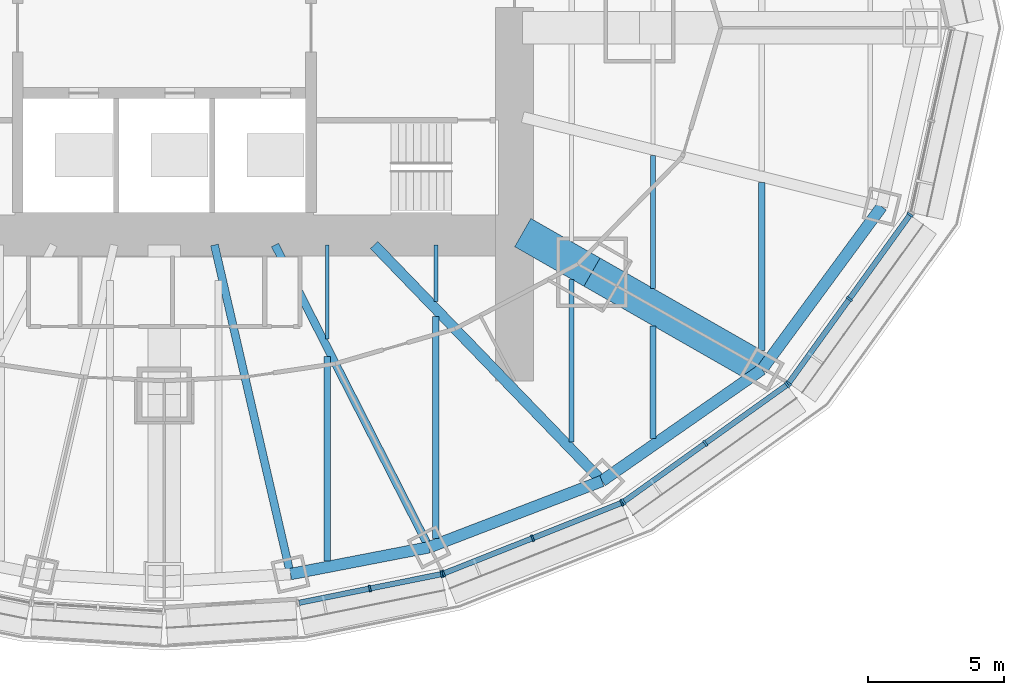
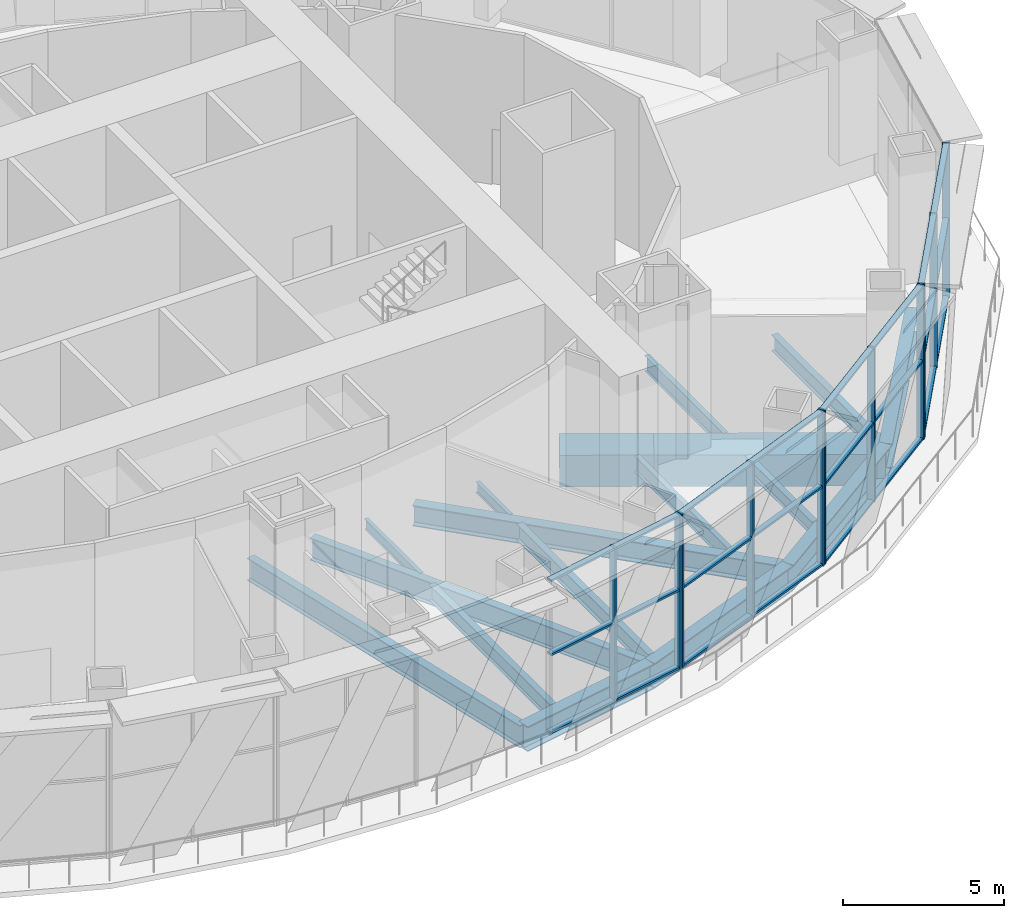
# One storey, part 4 of 21: 35 members, 17 beams, 4 elements without a shape of their own.
"""IFC4 building model written with IfcOpenShell, lengths in metres."""

from ifc_helpers import new_model, si_unit, direction, frame, origin, origin_2d, place, context, subcontext, project, spatial, rectangle, hollow_rectangle, i_section, extrude, material, material_profile, profile_set, type_object, element, aggregate, save


model = new_model("IFC4")

# Units and contexts
model_context = context("Model", 3, precision=1e-05, world=origin(), true_north=direction((0.0, 1.0)))
body_context = subcontext(model_context, "Body", "Model", "MODEL_VIEW")
ifc_project = project(units=[si_unit("LENGTHUNIT", "METRE"), si_unit("AREAUNIT", "SQUARE_METRE"), si_unit("VOLUMEUNIT", "CUBIC_METRE"), si_unit("PLANEANGLEUNIT", "RADIAN"), si_unit("MASSUNIT", "GRAM", prefix="KILO")], contexts=[model_context])

# Site, building, storey
site_placement = place(None, origin())
site = spatial("IfcSite", under=ifc_project, at=site_placement, CompositionType="ELEMENT")
building_placement = place(site_placement, origin())
building = spatial("IfcBuilding", under=site, at=building_placement, Name="Lantaw Convention Tower", CompositionType="ELEMENT")
storey_placement = place(building_placement, frame((0.0, 0.0, 111.39990234375)))
storey = spatial("IfcBuildingStorey", under=building, at=storey_placement, Name="L26", CompositionType="ELEMENT", Elevation=111.39990234375)

# Beams
ifc_material_1 = material(Name="Steel ASTM A992", Category="steel")
ifc_material_profile_1 = material_profile(ifc_material_1, i_section(OverallWidth=0.424072265625, OverallDepth=0.947509765625, WebThickness=0.02392578125, FlangeThickness=0.042724609375, FilletRadius=0.012451171875, at=origin_2d()), Name="W36X302")
ifc_profile_set_1 = profile_set([ifc_material_profile_1], Name="Steel ASTM A992")
beam_type_1 = type_object("IfcBeamType", Name="Beam BC W36X302", PredefinedType="SPANDREL", material=ifc_profile_set_1)
beam_1_placement = place(storey_placement, frame((4.64501953125, -20.1201171875, -0.673583984375), z_axis=(0.981796805654, 0.189934284446, 0.0), x_axis=(-0.189934284446, 0.981796805654, 0.0)))
element("IfcBeam", 1, at=beam_1_placement, inside=storey, type_object=beam_type_1, Name="Belt truss chord 20", PredefinedType="SPANDREL", context=body_context, shape_type="SweptSolid", body=[
    extrude(i_section(OverallWidth=0.424072265625, OverallDepth=0.947509765625, WebThickness=0.02392578125, FlangeThickness=0.042724609375, FilletRadius=0.012451171875, at=origin_2d()), origin(), (0.0, 0.0, 1.0), 5.1982421875),
])
beam_2_placement = place(storey_placement, frame((9.74853515625, -19.1328125, -0.673583984375), z_axis=(0.933691081977, 0.358079549033, 0.0), x_axis=(-0.358079549033, 0.933691081977, 0.0)))
element("IfcBeam", 2, at=beam_2_placement, inside=storey, type_object=beam_type_1, Name="Belt truss chord 21", PredefinedType="SPANDREL", context=body_context, shape_type="SweptSolid", body=[
    extrude(i_section(OverallWidth=0.424072265625, OverallDepth=0.947509765625, WebThickness=0.02392578125, FlangeThickness=0.042724609375, FilletRadius=0.012451171875, at=origin_2d()), origin(), (0.0, 0.0, 1.0), 6.821533203125),
])
beam_3_placement = place(storey_placement, frame((16.11767578125, -16.690185546875, -0.673583984375), z_axis=(0.820310765287, 0.57191804339, 0.0), x_axis=(-0.57191804339, 0.820310765287, 0.0)))
element("IfcBeam", 3, at=beam_3_placement, inside=storey, type_object=beam_type_1, Name="Belt truss chord 22", PredefinedType="SPANDREL", context=body_context, shape_type="SweptSolid", body=[
    extrude(i_section(OverallWidth=0.424072265625, OverallDepth=0.947509765625, WebThickness=0.02392578125, FlangeThickness=0.042724609375, FilletRadius=0.012451171875, at=origin_2d()), origin(), (0.0, 0.0, 1.0), 7.187744140625),
])
beam_4_placement = place(storey_placement, frame((22.013916015625, -12.579345703125, -0.673583984375), z_axis=(0.5923891972, 0.805651934176, 0.0), x_axis=(-0.805651934176, 0.5923891972, 0.0)))
element("IfcBeam", 4, at=beam_4_placement, inside=storey, type_object=beam_type_1, Name="Belt truss chord 23", PredefinedType="SPANDREL", context=body_context, shape_type="SweptSolid", body=[
    extrude(i_section(OverallWidth=0.424072265625, OverallDepth=0.947509765625, WebThickness=0.02392578125, FlangeThickness=0.042724609375, FilletRadius=0.012451171875, at=origin_2d()), origin(), (0.0, 0.0, 1.0), 7.437744140625),
])
ifc_material_2 = material(Name="Steel EN 10025-3 S460N", Category="steel")
ifc_material_profile_2 = material_profile(ifc_material_2, hollow_rectangle(XDim=1.199951171875, YDim=1.199951171875, WallThickness=0.10009765625, at=origin_2d()), Name="BOX1200X100")
ifc_profile_set_2 = profile_set([ifc_material_profile_2], Name="Steel EN 10025-3 S460N")
beam_type_2 = type_object("IfcBeamType", Name="Beam G BOX1200X100", PredefinedType="BEAM", material=ifc_profile_set_2)
beam_5_placement = place(storey_placement, frame((15.75, -9.0, -0.7998046875), z_axis=(0.868245224608, -0.496135293993, 0.0), x_axis=(0.496135293993, 0.868245224608, 0.0)))
element("IfcBeam", 5, at=beam_5_placement, inside=storey, type_object=beam_type_2, Name="Floor girder on ray 23", PredefinedType="BEAM", context=body_context, shape_type="SweptSolid", body=[
    extrude(hollow_rectangle(XDim=1.199951171875, YDim=1.199951171875, WallThickness=0.10009765625, at=origin_2d()), origin(), (0.0, 0.0, 1.0), 7.21435546875),
])
ifc_material_profile_3 = material_profile(ifc_material_1, i_section(OverallWidth=0.383544921875, OverallDepth=0.784912109375, WebThickness=0.019775390625, FlangeThickness=0.033447265625, FilletRadius=0.014892578125, at=origin_2d()), Name="W30X211")
ifc_profile_set_3 = profile_set([ifc_material_profile_3], Name="Steel ASTM A992")
beam_type_3 = type_object("IfcBeamType", Name="Beam G W30X211", PredefinedType="BEAM", material=ifc_profile_set_3)
beam_6_placement = place(storey_placement, frame((7.7255859375, -8.0, -0.59228515625), z_axis=(0.694661591875, -0.719336689439, 0.0), x_axis=(0.719336689439, 0.694661591875, 0.0)))
element("IfcBeam", 6, at=beam_6_placement, inside=storey, type_object=beam_type_3, Name="Floor girder on ray 22", PredefinedType="BEAM", context=body_context, shape_type="SweptSolid", body=[
    extrude(i_section(OverallWidth=0.383544921875, OverallDepth=0.784912109375, WebThickness=0.019775390625, FlangeThickness=0.033447265625, FilletRadius=0.014892578125, at=origin_2d()), origin(), (0.0, 0.0, 1.0), 12.080810546875),
])
ifc_material_profile_4 = material_profile(ifc_material_1, i_section(OverallWidth=0.2919921875, OverallDepth=0.845703125, WebThickness=0.015380859375, FlangeThickness=0.0244140625, FilletRadius=0.01513671875, at=origin_2d()), Name="W33X141")
ifc_profile_set_4 = profile_set([ifc_material_profile_4], Name="Steel ASTM A992")
beam_type_4 = type_object("IfcBeamType", Name="Beam G W33X141", PredefinedType="BEAM", material=ifc_profile_set_4)
beam_7_placement = place(storey_placement, frame((1.846923828125, -8.0, -0.622802734375), z_axis=(0.224946945919, -0.974371013281, 0.0), x_axis=(0.974371013281, 0.224946945919, 0.0)))
element("IfcBeam", 7, at=beam_7_placement, inside=storey, type_object=beam_type_4, Name="Floor girder on ray 20", PredefinedType="BEAM", context=body_context, shape_type="SweptSolid", body=[
    extrude(i_section(OverallWidth=0.2919921875, OverallDepth=0.845703125, WebThickness=0.015380859375, FlangeThickness=0.0244140625, FilletRadius=0.01513671875, at=origin_2d()), origin(), (0.0, 0.0, 1.0), 12.43896484375),
])
beam_8_placement = place(storey_placement, frame((4.076171875, -8.0, -0.622802734375), z_axis=(0.453984907555, -0.891009373527, 0.0), x_axis=(0.891009373527, 0.453984907555, 0.0)))
element("IfcBeam", 8, at=beam_8_placement, inside=storey, type_object=beam_type_4, Name="Floor girder on ray 21", PredefinedType="BEAM", context=body_context, shape_type="SweptSolid", body=[
    extrude(i_section(OverallWidth=0.2919921875, OverallDepth=0.845703125, WebThickness=0.015380859375, FlangeThickness=0.0244140625, FilletRadius=0.01513671875, at=origin_2d()), origin(), (0.0, 0.0, 1.0), 12.49462890625),
])
ifc_material_profile_5 = material_profile(ifc_material_1, i_section(OverallWidth=0.140380859375, OverallDepth=0.40380859375, WebThickness=0.007080078125, FlangeThickness=0.01123046875, FilletRadius=0.01025390625, at=origin_2d()), Name="W16X31")
ifc_profile_set_5 = profile_set([ifc_material_profile_5], Name="Steel ASTM A992")
beam_type_5 = type_object("IfcBeamType", Name="Beam J W16X31", PredefinedType="JOIST", material=ifc_profile_set_5)
beam_9_placement = place(storey_placement, frame((6.0, -11.453857421875, -0.40185546875), z_axis=(0.0, 1.0, 0.0), x_axis=(-1.0, 0.0, 0.0)))
element("IfcBeam", 9, at=beam_9_placement, inside=storey, type_object=beam_type_5, Name="Floor joist", PredefinedType="JOIST", context=body_context, shape_type="SweptSolid", body=[
    extrude(i_section(OverallWidth=0.140380859375, OverallDepth=0.40380859375, WebThickness=0.007080078125, FlangeThickness=0.01123046875, FilletRadius=0.01025390625, at=origin_2d()), origin(), (0.0, 0.0, 1.0), 3.453857421875),
])
beam_10_placement = place(storey_placement, frame((10.0, -10.079345703125, -0.40185546875), z_axis=(0.0, 1.0, 0.0), x_axis=(-1.0, 0.0, 0.0)))
element("IfcBeam", 10, at=beam_10_placement, inside=storey, type_object=beam_type_5, Name="Floor joist", PredefinedType="JOIST", context=body_context, shape_type="SweptSolid", body=[
    extrude(i_section(OverallWidth=0.140380859375, OverallDepth=0.40380859375, WebThickness=0.007080078125, FlangeThickness=0.01123046875, FilletRadius=0.01025390625, at=origin_2d()), origin(), (0.0, 0.0, 1.0), 2.079345703125),
])
ifc_material_profile_6 = material_profile(ifc_material_1, i_section(OverallWidth=0.2099609375, OverallDepth=0.535888671875, WebThickness=0.010986328125, FlangeThickness=0.017333984375, FilletRadius=0.012939453125, at=origin_2d()), Name="W21X68")
ifc_profile_set_6 = profile_set([ifc_material_profile_6], Name="Steel ASTM A992")
beam_type_6 = type_object("IfcBeamType", Name="Beam J W21X68", PredefinedType="JOIST", material=ifc_profile_set_6)
beam_11_placement = place(storey_placement, frame((18.0, -15.119384765625, -0.4677734375), z_axis=(0.0, 1.0, 0.0), x_axis=(-1.0, 0.0, 0.0)))
element("IfcBeam", 11, at=beam_11_placement, inside=storey, type_object=beam_type_6, Name="Floor joist", PredefinedType="JOIST", context=body_context, shape_type="SweptSolid", body=[
    extrude(i_section(OverallWidth=0.2099609375, OverallDepth=0.535888671875, WebThickness=0.010986328125, FlangeThickness=0.017333984375, FilletRadius=0.012939453125, at=origin_2d()), origin(), (0.0, 0.0, 1.0), 4.142578125),
])
ifc_material_profile_7 = material_profile(ifc_material_1, i_section(OverallWidth=0.177978515625, OverallDepth=0.599365234375, WebThickness=0.010009765625, FlangeThickness=0.012939453125, FilletRadius=0.012939453125, at=origin_2d()), Name="W24X55")
ifc_profile_set_7 = profile_set([ifc_material_profile_7], Name="Steel ASTM A992")
beam_type_7 = type_object("IfcBeamType", Name="Beam J W24X55", PredefinedType="JOIST", material=ifc_profile_set_7)
beam_12_placement = place(storey_placement, frame((15.0, -15.2568359375, -0.49951171875), z_axis=(0.0, 1.0, 0.0), x_axis=(-1.0, 0.0, 0.0)))
element("IfcBeam", 12, at=beam_12_placement, inside=storey, type_object=beam_type_7, Name="Floor joist", PredefinedType="JOIST", context=body_context, shape_type="SweptSolid", body=[
    extrude(i_section(OverallWidth=0.177978515625, OverallDepth=0.599365234375, WebThickness=0.010009765625, FlangeThickness=0.012939453125, FilletRadius=0.012939453125, at=origin_2d()), origin(), (0.0, 0.0, 1.0), 5.994384765625),
])
beam_13_placement = place(storey_placement, frame((18.0, -9.5947265625, -0.49951171875), z_axis=(0.0, 1.0, 0.0), x_axis=(-1.0, 0.0, 0.0)))
element("IfcBeam", 13, at=beam_13_placement, inside=storey, type_object=beam_type_7, Name="Floor joist", PredefinedType="JOIST", context=body_context, shape_type="SweptSolid", body=[
    extrude(i_section(OverallWidth=0.177978515625, OverallDepth=0.599365234375, WebThickness=0.010009765625, FlangeThickness=0.012939453125, FilletRadius=0.012939453125, at=origin_2d()), origin(), (0.0, 0.0, 1.0), 4.898681640625),
])
ifc_material_profile_8 = material_profile(ifc_material_1, i_section(OverallWidth=0.227783203125, OverallDepth=0.60205078125, WebThickness=0.010498046875, FlangeThickness=0.014892578125, FilletRadius=0.012939453125, at=origin_2d()), Name="W24X68")
ifc_profile_set_8 = profile_set([ifc_material_profile_8], Name="Steel ASTM A992")
beam_type_8 = type_object("IfcBeamType", Name="Beam J W24X68", PredefinedType="JOIST", material=ifc_profile_set_8)
beam_14_placement = place(storey_placement, frame((6.0, -19.641845703125, -0.5009765625), z_axis=(0.0, 1.0, 0.0), x_axis=(-1.0, 0.0, 0.0)))
element("IfcBeam", 14, at=beam_14_placement, inside=storey, type_object=beam_type_8, Name="Floor joist", PredefinedType="JOIST", context=body_context, shape_type="SweptSolid", body=[
    extrude(i_section(OverallWidth=0.227783203125, OverallDepth=0.60205078125, WebThickness=0.010498046875, FlangeThickness=0.014892578125, FilletRadius=0.012939453125, at=origin_2d()), origin(), (0.0, 0.0, 1.0), 7.54443359375),
])
ifc_material_profile_9 = material_profile(ifc_material_1, i_section(OverallWidth=0.22900390625, OverallDepth=0.612060546875, WebThickness=0.011962890625, FlangeThickness=0.01953125, FilletRadius=0.0126953125, at=origin_2d()), Name="W24X84")
ifc_profile_set_9 = profile_set([ifc_material_profile_9], Name="Steel ASTM A992")
beam_type_9 = type_object("IfcBeamType", Name="Beam J W24X84", PredefinedType="JOIST", material=ifc_profile_set_9)
beam_15_placement = place(storey_placement, frame((10.0, -18.80908203125, -0.505859375), z_axis=(0.0, 1.0, 0.0), x_axis=(-1.0, 0.0, 0.0)))
element("IfcBeam", 15, at=beam_15_placement, inside=storey, type_object=beam_type_9, Name="Floor joist", PredefinedType="JOIST", context=body_context, shape_type="SweptSolid", body=[
    extrude(i_section(OverallWidth=0.22900390625, OverallDepth=0.612060546875, WebThickness=0.011962890625, FlangeThickness=0.01953125, FilletRadius=0.0126953125, at=origin_2d()), origin(), (0.0, 0.0, 1.0), 8.177734375),
])
beam_16_placement = place(storey_placement, frame((22.0, -11.88037109375, -0.505859375), z_axis=(0.0, 1.0, 0.0), x_axis=(-1.0, 0.0, 0.0)))
element("IfcBeam", 16, at=beam_16_placement, inside=storey, type_object=beam_type_9, Name="Floor joist", PredefinedType="JOIST", context=body_context, shape_type="SweptSolid", body=[
    extrude(i_section(OverallWidth=0.22900390625, OverallDepth=0.612060546875, WebThickness=0.011962890625, FlangeThickness=0.01953125, FilletRadius=0.0126953125, at=origin_2d()), origin(), (0.0, 0.0, 1.0), 6.18701171875),
])
ifc_material_profile_10 = material_profile(ifc_material_2, hollow_rectangle(XDim=1.199951171875, YDim=1.199951171875, WallThickness=0.10009765625, at=origin_2d()), Name="BOX1200X100")
ifc_profile_set_10 = profile_set([ifc_material_profile_10], Name="Steel EN 10025-3 S460N")
beam_type_10 = type_object("IfcBeamType", Name="Beam OC BOX1200X100", PredefinedType="BEAM", material=ifc_profile_set_10)
beam_17_placement = place(storey_placement, frame((13.199951171875, -7.54296875, -0.7998046875), z_axis=(0.868263603466, -0.496103129295, 0.0), x_axis=(0.496103129295, 0.868263603466, 0.0)))
element("IfcBeam", 17, at=beam_17_placement, inside=storey, type_object=beam_type_10, Name="Outrigger chord on ray 23", PredefinedType="BEAM", context=body_context, shape_type="SweptSolid", body=[
    extrude(hollow_rectangle(XDim=1.199951171875, YDim=1.199951171875, WallThickness=0.10009765625, at=origin_2d()), origin(), (0.0, 0.0, 1.0), 2.93701171875),
])

# Curtain wall, members
ifc_material_3 = material(Name="Aluminium framed curtain wall", Category="aluminium")
curtain_wall_type = type_object("IfcCurtainWallType", Name="Sky lobby curtain wall L26, pale aluminium", PredefinedType="USERDEFINED", material=ifc_material_3)
curtain_wall_1_placement = place(storey_placement, origin())
curtain_wall_1 = element("IfcCurtainWall", 18, at=curtain_wall_1_placement, inside=storey, type_object=curtain_wall_type, Name="Sky lobby curtain wall L26, pale aluminium L26", ObjectType="STICK CURTAIN WALL", PredefinedType="USERDEFINED")
ifc_material_4 = material(Name="Aluminium 6063-T6", Category="aluminium")
ifc_material_profile_11 = material_profile(ifc_material_4, rectangle(XDim=0.25, YDim=0.074951171875, at=origin_2d()), Name="CW-SL mullion 75x250")
ifc_profile_set_11 = profile_set([ifc_material_profile_11], Name="Aluminium 6063-T6")
member_type_1 = type_object("IfcMemberType", Name="CW-SL mullion 75x250", PredefinedType="MULLION", material=ifc_profile_set_11)
member_1_placement = place(storey_placement, frame((7.5703125, -20.65234375, 0.0), z_axis=(0.0, 0.0, 1.0), x_axis=(-0.197506809659, 0.980301514912, 0.0)))
member_1 = element("IfcMember", 19, at=member_1_placement, type_object=member_type_1, Name="CW-SL mullion 2", PredefinedType="MULLION", context=body_context, shape_type="SweptSolid", body=[
    extrude(rectangle(XDim=0.25, YDim=0.074951171875, at=origin_2d()), origin(), (0.0, 0.0, 1.0), 5.85009765625),
])
member_2_placement = place(storey_placement, frame((10.211181640625, -20.1201171875, 0.0), z_axis=(0.0, 0.0, 1.0), x_axis=(-0.197506809659, 0.980301514912, 0.0)))
member_2 = element("IfcMember", 20, at=member_2_placement, type_object=member_type_1, Name="CW-SL mullion 3", PredefinedType="MULLION", context=body_context, shape_type="SweptSolid", body=[
    extrude(rectangle(XDim=0.25, YDim=0.074951171875, at=origin_2d()), origin(), (0.0, 0.0, 1.0), 5.85009765625),
])

curtain_wall_2_placement = place(storey_placement, origin())
curtain_wall_2 = element("IfcCurtainWall", 21, at=curtain_wall_2_placement, inside=storey, type_object=curtain_wall_type, Name="Sky lobby curtain wall L26, pale aluminium L26", ObjectType="STICK CURTAIN WALL", PredefinedType="USERDEFINED")
member_3_placement = place(storey_placement, frame((10.282958984375, -20.098876953125, 0.0), z_axis=(0.0, 0.0, 1.0), x_axis=(-0.368701907483, 0.929547687544, 0.0)))
member_3 = element("IfcMember", 22, at=member_3_placement, type_object=member_type_1, Name="CW-SL mullion 1", PredefinedType="MULLION", context=body_context, shape_type="SweptSolid", body=[
    extrude(rectangle(XDim=0.25, YDim=0.074951171875, at=origin_2d()), origin(), (0.0, 0.0, 1.0), 5.85009765625),
])
member_4_placement = place(storey_placement, frame((13.56494140625, -18.797119140625, 0.0), z_axis=(0.0, 0.0, 1.0), x_axis=(-0.368701907483, 0.929547687544, 0.0)))
member_4 = element("IfcMember", 23, at=member_4_placement, type_object=member_type_1, Name="CW-SL mullion 2", PredefinedType="MULLION", context=body_context, shape_type="SweptSolid", body=[
    extrude(rectangle(XDim=0.25, YDim=0.074951171875, at=origin_2d()), origin(), (0.0, 0.0, 1.0), 5.85009765625),
])
member_5_placement = place(storey_placement, frame((16.846923828125, -17.495361328125, 0.0), z_axis=(0.0, 0.0, 1.0), x_axis=(-0.368701907483, 0.929547687544, 0.0)))
member_5 = element("IfcMember", 24, at=member_5_placement, type_object=member_type_1, Name="CW-SL mullion 3", PredefinedType="MULLION", context=body_context, shape_type="SweptSolid", body=[
    extrude(rectangle(XDim=0.25, YDim=0.074951171875, at=origin_2d()), origin(), (0.0, 0.0, 1.0), 5.85009765625),
])

curtain_wall_3_placement = place(storey_placement, origin())
curtain_wall_3 = element("IfcCurtainWall", 25, at=curtain_wall_3_placement, inside=storey, type_object=curtain_wall_type, Name="Sky lobby curtain wall L26, pale aluminium L26", ObjectType="STICK CURTAIN WALL", PredefinedType="USERDEFINED")
member_6_placement = place(storey_placement, frame((16.912353515625, -17.459716796875, 0.0), z_axis=(0.0, 0.0, 1.0), x_axis=(-0.581972695693, 0.813208325995, 0.0)))
member_6 = element("IfcMember", 26, at=member_6_placement, type_object=member_type_1, Name="CW-SL mullion 1", PredefinedType="MULLION", context=body_context, shape_type="SweptSolid", body=[
    extrude(rectangle(XDim=0.25, YDim=0.074951171875, at=origin_2d()), origin(), (0.0, 0.0, 1.0), 5.85009765625),
])
member_7_placement = place(storey_placement, frame((19.92529296875, -15.303466796875, 0.0), z_axis=(0.0, 0.0, 1.0), x_axis=(-0.581972695693, 0.813208325995, 0.0)))
member_7 = element("IfcMember", 27, at=member_7_placement, type_object=member_type_1, Name="CW-SL mullion 2", PredefinedType="MULLION", context=body_context, shape_type="SweptSolid", body=[
    extrude(rectangle(XDim=0.25, YDim=0.074951171875, at=origin_2d()), origin(), (0.0, 0.0, 1.0), 5.85009765625),
])
member_8_placement = place(storey_placement, frame((22.9384765625, -13.14697265625, 0.0), z_axis=(0.0, 0.0, 1.0), x_axis=(-0.581972695693, 0.813208325995, 0.0)))
member_8 = element("IfcMember", 28, at=member_8_placement, type_object=member_type_1, Name="CW-SL mullion 3", PredefinedType="MULLION", context=body_context, shape_type="SweptSolid", body=[
    extrude(rectangle(XDim=0.25, YDim=0.074951171875, at=origin_2d()), origin(), (0.0, 0.0, 1.0), 5.85009765625),
])

curtain_wall_4_placement = place(storey_placement, origin())
curtain_wall_4 = element("IfcCurtainWall", 29, at=curtain_wall_4_placement, inside=storey, type_object=curtain_wall_type, Name="Sky lobby curtain wall L26, pale aluminium L26", ObjectType="STICK CURTAIN WALL", PredefinedType="USERDEFINED")
member_9_placement = place(storey_placement, frame((22.990966796875, -13.0947265625, 0.0), z_axis=(0.0, 0.0, 1.0), x_axis=(-0.811384633629, 0.584512597221, 0.0)))
member_9 = element("IfcMember", 30, at=member_9_placement, type_object=member_type_1, Name="CW-SL mullion 1", PredefinedType="MULLION", context=body_context, shape_type="SweptSolid", body=[
    extrude(rectangle(XDim=0.25, YDim=0.074951171875, at=origin_2d()), origin(), (0.0, 0.0, 1.0), 5.85009765625),
])
member_10_placement = place(storey_placement, frame((25.22802734375, -9.9892578125, 0.0), z_axis=(0.0, 0.0, 1.0), x_axis=(-0.811384633629, 0.584512597221, 0.0)))
member_10 = element("IfcMember", 31, at=member_10_placement, type_object=member_type_1, Name="CW-SL mullion 2", PredefinedType="MULLION", context=body_context, shape_type="SweptSolid", body=[
    extrude(rectangle(XDim=0.25, YDim=0.074951171875, at=origin_2d()), origin(), (0.0, 0.0, 1.0), 5.85009765625),
])
member_11_placement = place(storey_placement, frame((27.46533203125, -6.8837890625, 0.0), z_axis=(0.0, 0.0, 1.0), x_axis=(-0.811384633629, 0.584512597221, 0.0)))
member_11 = element("IfcMember", 32, at=member_11_placement, type_object=member_type_1, Name="CW-SL mullion 3", PredefinedType="MULLION", context=body_context, shape_type="SweptSolid", body=[
    extrude(rectangle(XDim=0.25, YDim=0.074951171875, at=origin_2d()), origin(), (0.0, 0.0, 1.0), 5.85009765625),
])

# Member
ifc_material_profile_12 = material_profile(ifc_material_4, rectangle(XDim=0.199951171875, YDim=0.074951171875, at=origin_2d()), Name="CW-SL transom 75x200")
ifc_profile_set_12 = profile_set([ifc_material_profile_12], Name="Aluminium 6063-T6")
member_type_2 = type_object("IfcMemberType", Name="CW-SL transom 75x200", PredefinedType="USERDEFINED", material=ifc_profile_set_12)
member_12_placement = place(storey_placement, frame((4.966064453125, -21.177001953125, 0.03759765625), z_axis=(0.980296409083, 0.197532150138, 0.0), x_axis=(-0.197532150138, 0.980296409083, 0.0)))
member_12 = element("IfcMember", 33, at=member_12_placement, type_object=member_type_2, Name="CW-SL transom 1.1", ObjectType="TRANSOM", PredefinedType="USERDEFINED", context=body_context, shape_type="SweptSolid", body=[
    extrude(rectangle(XDim=0.199951171875, YDim=0.074951171875, at=origin_2d()), origin(), (0.0, 0.0, 1.0), 2.618896484375),
])

member_13_placement = place(storey_placement, frame((4.966064453125, -21.177001953125, 3.0), z_axis=(0.980296409083, 0.197532150138, 0.0), x_axis=(-0.197532150138, 0.980296409083, 0.0)))
member_13 = element("IfcMember", 34, at=member_13_placement, type_object=member_type_2, Name="CW-SL transom 1.2", ObjectType="TRANSOM", PredefinedType="USERDEFINED", context=body_context, shape_type="SweptSolid", body=[
    extrude(rectangle(XDim=0.199951171875, YDim=0.074951171875, at=origin_2d()), origin(), (0.0, 0.0, 1.0), 2.618896484375),
])

member_14_placement = place(storey_placement, frame((4.966064453125, -21.177001953125, 5.8125), z_axis=(0.980296409083, 0.197532150138, 0.0), x_axis=(-0.197532150138, 0.980296409083, 0.0)))
member_14 = element("IfcMember", 35, at=member_14_placement, type_object=member_type_2, Name="CW-SL transom 1.3", ObjectType="TRANSOM", PredefinedType="USERDEFINED", context=body_context, shape_type="SweptSolid", body=[
    extrude(rectangle(XDim=0.199951171875, YDim=0.074951171875, at=origin_2d()), origin(), (0.0, 0.0, 1.0), 2.618896484375),
])

member_15_placement = place(storey_placement, frame((7.60693359375, -20.64501953125, 0.03759765625), z_axis=(0.980300045913, 0.197514100722, 0.0), x_axis=(-0.197514100722, 0.980300045913, 0.0)))
member_15 = element("IfcMember", 36, at=member_15_placement, type_object=member_type_2, Name="CW-SL transom 2.1", ObjectType="TRANSOM", PredefinedType="USERDEFINED", context=body_context, shape_type="SweptSolid", body=[
    extrude(rectangle(XDim=0.199951171875, YDim=0.074951171875, at=origin_2d()), origin(), (0.0, 0.0, 1.0), 2.619140625),
])

member_16_placement = place(storey_placement, frame((7.60693359375, -20.64501953125, 3.0), z_axis=(0.980300045913, 0.197514100722, 0.0), x_axis=(-0.197514100722, 0.980300045913, 0.0)))
member_16 = element("IfcMember", 37, at=member_16_placement, type_object=member_type_2, Name="CW-SL transom 2.2", ObjectType="TRANSOM", PredefinedType="USERDEFINED", context=body_context, shape_type="SweptSolid", body=[
    extrude(rectangle(XDim=0.199951171875, YDim=0.074951171875, at=origin_2d()), origin(), (0.0, 0.0, 1.0), 2.619140625),
])

member_17_placement = place(storey_placement, frame((7.60693359375, -20.64501953125, 5.8125), z_axis=(0.980300045913, 0.197514100722, 0.0), x_axis=(-0.197514100722, 0.980300045913, 0.0)))
member_17 = element("IfcMember", 38, at=member_17_placement, type_object=member_type_2, Name="CW-SL transom 2.3", ObjectType="TRANSOM", PredefinedType="USERDEFINED", context=body_context, shape_type="SweptSolid", body=[
    extrude(rectangle(XDim=0.199951171875, YDim=0.074951171875, at=origin_2d()), origin(), (0.0, 0.0, 1.0), 2.619140625),
])

aggregate(curtain_wall_1, [member_1, member_2, member_12, member_13, member_14, member_15, member_16, member_17])

member_18_placement = place(storey_placement, frame((10.317626953125, -20.085205078125, 0.03759765625), z_axis=(0.92954951909, 0.368697289872, 0.0), x_axis=(-0.368697289872, 0.92954951909, 0.0)))
member_18 = element("IfcMember", 39, at=member_18_placement, type_object=member_type_2, Name="CW-SL transom 1.1", ObjectType="TRANSOM", PredefinedType="USERDEFINED", context=body_context, shape_type="SweptSolid", body=[
    extrude(rectangle(XDim=0.199951171875, YDim=0.074951171875, at=origin_2d()), origin(), (0.0, 0.0, 1.0), 3.455810546875),
])

member_19_placement = place(storey_placement, frame((10.317626953125, -20.085205078125, 3.0), z_axis=(0.92954951909, 0.368697289872, 0.0), x_axis=(-0.368697289872, 0.92954951909, 0.0)))
member_19 = element("IfcMember", 40, at=member_19_placement, type_object=member_type_2, Name="CW-SL transom 1.2", ObjectType="TRANSOM", PredefinedType="USERDEFINED", context=body_context, shape_type="SweptSolid", body=[
    extrude(rectangle(XDim=0.199951171875, YDim=0.074951171875, at=origin_2d()), origin(), (0.0, 0.0, 1.0), 3.455810546875),
])

member_20_placement = place(storey_placement, frame((10.317626953125, -20.085205078125, 5.8125), z_axis=(0.92954951909, 0.368697289872, 0.0), x_axis=(-0.368697289872, 0.92954951909, 0.0)))
member_20 = element("IfcMember", 41, at=member_20_placement, type_object=member_type_2, Name="CW-SL transom 1.3", ObjectType="TRANSOM", PredefinedType="USERDEFINED", context=body_context, shape_type="SweptSolid", body=[
    extrude(rectangle(XDim=0.199951171875, YDim=0.074951171875, at=origin_2d()), origin(), (0.0, 0.0, 1.0), 3.455810546875),
])

member_21_placement = place(storey_placement, frame((13.599853515625, -18.783447265625, 0.03759765625), z_axis=(0.929539914799, 0.368721503028, 0.0), x_axis=(-0.368721503028, 0.929539914799, 0.0)))
member_21 = element("IfcMember", 42, at=member_21_placement, type_object=member_type_2, Name="CW-SL transom 2.1", ObjectType="TRANSOM", PredefinedType="USERDEFINED", context=body_context, shape_type="SweptSolid", body=[
    extrude(rectangle(XDim=0.199951171875, YDim=0.074951171875, at=origin_2d()), origin(), (0.0, 0.0, 1.0), 3.45556640625),
])

member_22_placement = place(storey_placement, frame((13.599853515625, -18.783447265625, 3.0), z_axis=(0.929539914799, 0.368721503028, 0.0), x_axis=(-0.368721503028, 0.929539914799, 0.0)))
member_22 = element("IfcMember", 43, at=member_22_placement, type_object=member_type_2, Name="CW-SL transom 2.2", ObjectType="TRANSOM", PredefinedType="USERDEFINED", context=body_context, shape_type="SweptSolid", body=[
    extrude(rectangle(XDim=0.199951171875, YDim=0.074951171875, at=origin_2d()), origin(), (0.0, 0.0, 1.0), 3.45556640625),
])

member_23_placement = place(storey_placement, frame((13.599853515625, -18.783447265625, 5.8125), z_axis=(0.929539914799, 0.368721503028, 0.0), x_axis=(-0.368721503028, 0.929539914799, 0.0)))
member_23 = element("IfcMember", 44, at=member_23_placement, type_object=member_type_2, Name="CW-SL transom 2.3", ObjectType="TRANSOM", PredefinedType="USERDEFINED", context=body_context, shape_type="SweptSolid", body=[
    extrude(rectangle(XDim=0.199951171875, YDim=0.074951171875, at=origin_2d()), origin(), (0.0, 0.0, 1.0), 3.45556640625),
])

aggregate(curtain_wall_2, [member_3, member_4, member_5, member_18, member_19, member_20, member_21, member_22, member_23])

member_24_placement = place(storey_placement, frame((16.942626953125, -17.43798828125, 0.03759765625), z_axis=(0.813219712688, 0.581956784388, 0.0), x_axis=(-0.581956784388, 0.813219712688, 0.0)))
member_24 = element("IfcMember", 45, at=member_24_placement, type_object=member_type_2, Name="CW-SL transom 1.1", ObjectType="TRANSOM", PredefinedType="USERDEFINED", context=body_context, shape_type="SweptSolid", body=[
    extrude(rectangle(XDim=0.199951171875, YDim=0.074951171875, at=origin_2d()), origin(), (0.0, 0.0, 1.0), 3.630615234375),
])

member_25_placement = place(storey_placement, frame((16.942626953125, -17.43798828125, 3.0), z_axis=(0.813219712688, 0.581956784388, 0.0), x_axis=(-0.581956784388, 0.813219712688, 0.0)))
member_25 = element("IfcMember", 46, at=member_25_placement, type_object=member_type_2, Name="CW-SL transom 1.2", ObjectType="TRANSOM", PredefinedType="USERDEFINED", context=body_context, shape_type="SweptSolid", body=[
    extrude(rectangle(XDim=0.199951171875, YDim=0.074951171875, at=origin_2d()), origin(), (0.0, 0.0, 1.0), 3.630615234375),
])

member_26_placement = place(storey_placement, frame((16.942626953125, -17.43798828125, 5.8125), z_axis=(0.813219712688, 0.581956784388, 0.0), x_axis=(-0.581956784388, 0.813219712688, 0.0)))
member_26 = element("IfcMember", 47, at=member_26_placement, type_object=member_type_2, Name="CW-SL transom 1.3", ObjectType="TRANSOM", PredefinedType="USERDEFINED", context=body_context, shape_type="SweptSolid", body=[
    extrude(rectangle(XDim=0.199951171875, YDim=0.074951171875, at=origin_2d()), origin(), (0.0, 0.0, 1.0), 3.630615234375),
])

member_27_placement = place(storey_placement, frame((19.955810546875, -15.281494140625, 0.03759765625), z_axis=(0.813228763898, 0.581944136124, 0.0), x_axis=(-0.581944136124, 0.813228763898, 0.0)))
member_27 = element("IfcMember", 48, at=member_27_placement, type_object=member_type_2, Name="CW-SL transom 2.1", ObjectType="TRANSOM", PredefinedType="USERDEFINED", context=body_context, shape_type="SweptSolid", body=[
    extrude(rectangle(XDim=0.199951171875, YDim=0.074951171875, at=origin_2d()), origin(), (0.0, 0.0, 1.0), 3.630126953125),
])

member_28_placement = place(storey_placement, frame((19.955810546875, -15.281494140625, 3.0), z_axis=(0.813228763898, 0.581944136124, 0.0), x_axis=(-0.581944136124, 0.813228763898, 0.0)))
member_28 = element("IfcMember", 49, at=member_28_placement, type_object=member_type_2, Name="CW-SL transom 2.2", ObjectType="TRANSOM", PredefinedType="USERDEFINED", context=body_context, shape_type="SweptSolid", body=[
    extrude(rectangle(XDim=0.199951171875, YDim=0.074951171875, at=origin_2d()), origin(), (0.0, 0.0, 1.0), 3.630126953125),
])

member_29_placement = place(storey_placement, frame((19.955810546875, -15.281494140625, 5.8125), z_axis=(0.813228763898, 0.581944136124, 0.0), x_axis=(-0.581944136124, 0.813228763898, 0.0)))
member_29 = element("IfcMember", 50, at=member_29_placement, type_object=member_type_2, Name="CW-SL transom 2.3", ObjectType="TRANSOM", PredefinedType="USERDEFINED", context=body_context, shape_type="SweptSolid", body=[
    extrude(rectangle(XDim=0.199951171875, YDim=0.074951171875, at=origin_2d()), origin(), (0.0, 0.0, 1.0), 3.630126953125),
])

aggregate(curtain_wall_3, [member_6, member_7, member_8, member_24, member_25, member_26, member_27, member_28, member_29])

member_30_placement = place(storey_placement, frame((23.012939453125, -13.064453125, 0.03759765625), z_axis=(0.584513808676, 0.811383760909, 0.0), x_axis=(-0.811383760909, 0.584513808676, 0.0)))
member_30 = element("IfcMember", 51, at=member_30_placement, type_object=member_type_2, Name="CW-SL transom 1.1", ObjectType="TRANSOM", PredefinedType="USERDEFINED", context=body_context, shape_type="SweptSolid", body=[
    extrude(rectangle(XDim=0.199951171875, YDim=0.074951171875, at=origin_2d()), origin(), (0.0, 0.0, 1.0), 3.75244140625),
])

member_31_placement = place(storey_placement, frame((23.012939453125, -13.064453125, 3.0), z_axis=(0.584513808676, 0.811383760909, 0.0), x_axis=(-0.811383760909, 0.584513808676, 0.0)))
member_31 = element("IfcMember", 52, at=member_31_placement, type_object=member_type_2, Name="CW-SL transom 1.2", ObjectType="TRANSOM", PredefinedType="USERDEFINED", context=body_context, shape_type="SweptSolid", body=[
    extrude(rectangle(XDim=0.199951171875, YDim=0.074951171875, at=origin_2d()), origin(), (0.0, 0.0, 1.0), 3.75244140625),
])

member_32_placement = place(storey_placement, frame((23.012939453125, -13.064453125, 5.8125), z_axis=(0.584513808676, 0.811383760909, 0.0), x_axis=(-0.811383760909, 0.584513808676, 0.0)))
member_32 = element("IfcMember", 53, at=member_32_placement, type_object=member_type_2, Name="CW-SL transom 1.3", ObjectType="TRANSOM", PredefinedType="USERDEFINED", context=body_context, shape_type="SweptSolid", body=[
    extrude(rectangle(XDim=0.199951171875, YDim=0.074951171875, at=origin_2d()), origin(), (0.0, 0.0, 1.0), 3.75244140625),
])

member_33_placement = place(storey_placement, frame((25.25, -9.958740234375, 0.03759765625), z_axis=(0.584544666344, 0.811361530422, 0.0), x_axis=(-0.811361530422, 0.584544666344, 0.0)))
member_33 = element("IfcMember", 54, at=member_33_placement, type_object=member_type_2, Name="CW-SL transom 2.1", ObjectType="TRANSOM", PredefinedType="USERDEFINED", context=body_context, shape_type="SweptSolid", body=[
    extrude(rectangle(XDim=0.199951171875, YDim=0.074951171875, at=origin_2d()), origin(), (0.0, 0.0, 1.0), 3.752197265625),
])

member_34_placement = place(storey_placement, frame((25.25, -9.958740234375, 3.0), z_axis=(0.584544666344, 0.811361530422, 0.0), x_axis=(-0.811361530422, 0.584544666344, 0.0)))
member_34 = element("IfcMember", 55, at=member_34_placement, type_object=member_type_2, Name="CW-SL transom 2.2", ObjectType="TRANSOM", PredefinedType="USERDEFINED", context=body_context, shape_type="SweptSolid", body=[
    extrude(rectangle(XDim=0.199951171875, YDim=0.074951171875, at=origin_2d()), origin(), (0.0, 0.0, 1.0), 3.752197265625),
])

member_35_placement = place(storey_placement, frame((25.25, -9.958740234375, 5.8125), z_axis=(0.584544666344, 0.811361530422, 0.0), x_axis=(-0.811361530422, 0.584544666344, 0.0)))
member_35 = element("IfcMember", 56, at=member_35_placement, type_object=member_type_2, Name="CW-SL transom 2.3", ObjectType="TRANSOM", PredefinedType="USERDEFINED", context=body_context, shape_type="SweptSolid", body=[
    extrude(rectangle(XDim=0.199951171875, YDim=0.074951171875, at=origin_2d()), origin(), (0.0, 0.0, 1.0), 3.752197265625),
])

aggregate(curtain_wall_4, [member_9, member_10, member_11, member_30, member_31, member_32, member_33, member_34, member_35])

save(model, "model.ifc")
